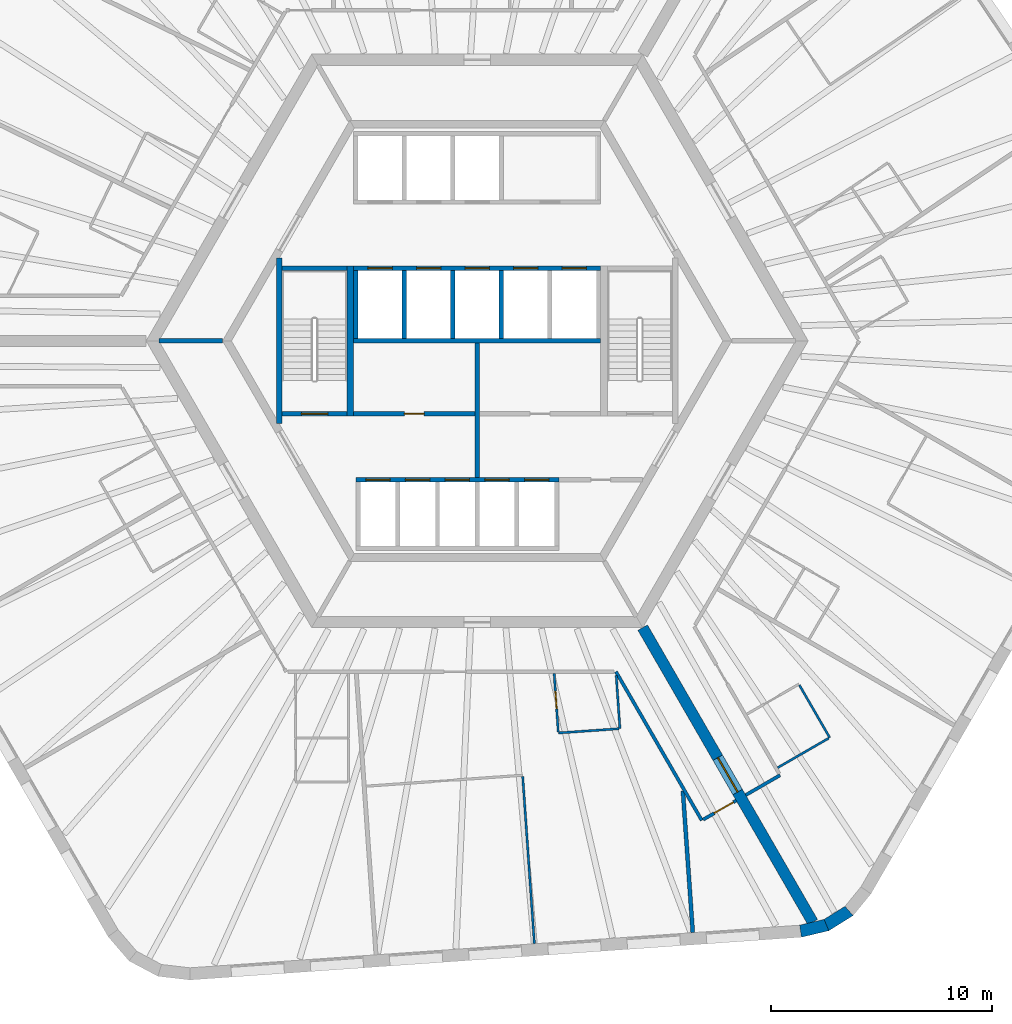
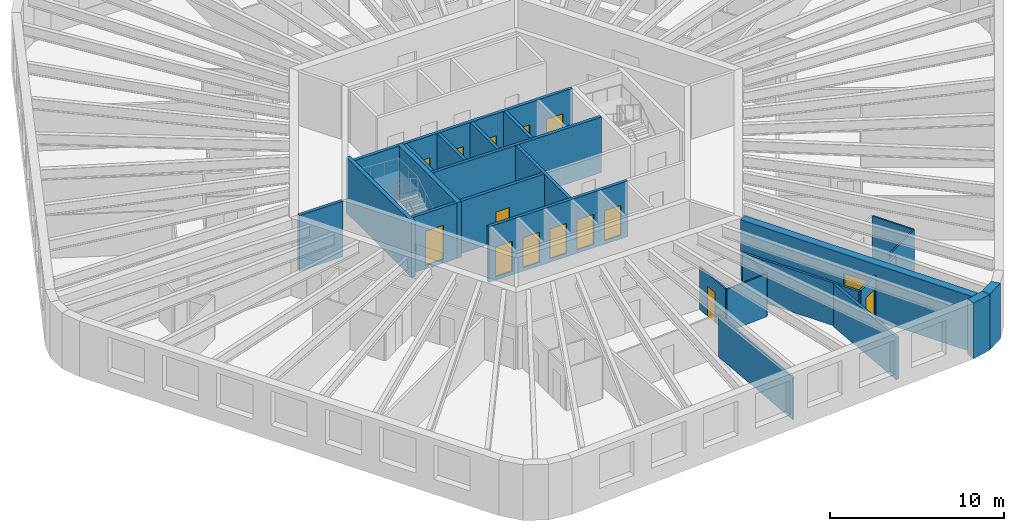
# One storey, part 4 of 10: 27 walls, 15 doors, 15 openings.
"""IFC4 building model written with IfcOpenShell, lengths in metres."""

import ifcopenshell
import ifcopenshell.guid

model = None  # the IFC model being written
_history = None  # IfcOwnerHistory: only IFC2X3 demands one
_inside = {}  # id of a spatial element -> (the spatial element, [elements in it])
_under = {}  # id of a project, library or spatial element -> (it, [spatial elements below it])
_declared = {}  # id of a project -> (the project, [libraries it declares])
_typed = {}  # id of a type object -> (the type object, [elements of that type])
_made_of = {}  # id of a material, layer set ... -> (it, [elements and type objects made of it])


def new_model(schema):
    """Start an empty IFC model of exactly this schema.

    Asked for "IFC4X3", IfcOpenShell would pick the latest addendum, in which some entities
    have other attributes; the version numbers below select the first issue.
    IFC2X3 requires an IfcOwnerHistory on every rooted entity: one is made here for all.
    """
    global model, _history
    if schema == "IFC4X3":
        model = ifcopenshell.file(schema_version=(4, 3, 0, 0))
    else:
        model = ifcopenshell.file(schema=schema)
    _inside.clear()
    _under.clear()
    _declared.clear()
    _typed.clear()
    _made_of.clear()
    _history = None
    if model.schema == "IFC2X3":
        org = make("IfcOrganization", Name="unknown")
        user = make(
            "IfcPersonAndOrganization",
            ThePerson=make("IfcPerson", FamilyName="unknown"),
            TheOrganization=org,
        )
        app = make(
            "IfcApplication",
            ApplicationDeveloper=org,
            Version="unknown",
            ApplicationFullName="unknown",
            ApplicationIdentifier="unknown",
        )
        _history = make(
            "IfcOwnerHistory",
            OwningUser=user,
            OwningApplication=app,
            ChangeAction="ADDED",
            CreationDate=0,
        )
    return model


def make(cls, **values):
    """One entity of the class cls with the attributes given. An attribute that is None is left unset."""
    return model.create_entity(
        cls, **{name: value for name, value in values.items() if value is not None}
    )


def rooted(cls, **values):
    """An entity with a GlobalId (a new one), such as an element, a storey or a relation."""
    return make(cls, GlobalId=ifcopenshell.guid.new(), OwnerHistory=_history, **values)


def si_unit(unit_type, name, prefix=None):
    """IfcSIUnit, for example si_unit("LENGTHUNIT", "METRE", prefix="MILLI")."""
    return make("IfcSIUnit", UnitType=unit_type, Prefix=prefix, Name=name)


def assignment(units):
    """IfcUnitAssignment: the units of a project."""
    return None if units is None else make("IfcUnitAssignment", Units=units)


def point(xyz):
    """IfcCartesianPoint."""
    return None if xyz is None else make("IfcCartesianPoint", Coordinates=xyz)


def direction(xyz):
    """IfcDirection."""
    return None if xyz is None else make("IfcDirection", DirectionRatios=xyz)


def frame(location, z_axis=None, x_axis=None):
    """IfcAxis2Placement3D, a coordinate frame: its origin and axes. An axis left out is left unset."""
    return make(
        "IfcAxis2Placement3D",
        Location=point(location),
        Axis=direction(z_axis),
        RefDirection=direction(x_axis),
    )


def frame_2d(location, x_axis=None):
    """IfcAxis2Placement2D, a coordinate frame in the plane: its origin and x axis."""
    return make(
        "IfcAxis2Placement2D", Location=point(location), RefDirection=direction(x_axis)
    )


def origin():
    """The frame at (0, 0, 0) with its axes left unset."""
    return frame((0.0, 0.0, 0.0))


def place(relative_to, where):
    """IfcLocalPlacement: puts the frame where relative to a parent placement (None: the world)."""
    return make(
        "IfcLocalPlacement", PlacementRelTo=relative_to, RelativePlacement=where
    )


def context(
    kind, dimensions, precision=None, world=None, true_north=None, identifier=None
):
    """IfcGeometricRepresentationContext, for example the 3D "Model" context."""
    return make(
        "IfcGeometricRepresentationContext",
        ContextIdentifier=identifier,
        ContextType=kind,
        CoordinateSpaceDimension=dimensions,
        Precision=precision,
        WorldCoordinateSystem=world,
        TrueNorth=true_north,
    )


def subcontext(parent, identifier, kind, view, scale=None):
    """IfcGeometricRepresentationSubContext, for example "Body" below "Model"."""
    return make(
        "IfcGeometricRepresentationSubContext",
        ContextIdentifier=identifier,
        ContextType=kind,
        ParentContext=parent,
        TargetScale=scale,
        TargetView=view,
    )


def project(units=None, contexts=None):
    """IfcProject with its units and contexts."""
    return rooted(
        "IfcProject",
        Name="project",
        RepresentationContexts=contexts,
        UnitsInContext=assignment(units),
    )


def spatial(cls, under=None, at=None, **own):
    """A site, building, storey or space (cls), placed at a placement, below another one or the project."""
    s = rooted(cls, ObjectPlacement=at, **own)
    if under is not None:
        _under.setdefault(under.id(), (under, []))[1].append(s)
    return s


def polyline(points):
    """IfcPolyline through the points."""
    return make("IfcPolyline", Points=[point(p) for p in points])


def profile(cls, at=None, kind="AREA", **sizes):
    """A parametric profile (cls). Its sizes go by their IFC names, for example OverallWidth=200.0."""
    return make(cls, ProfileType=kind, Position=at, **sizes)


def rectangle(**sizes):
    """IfcRectangleProfileDef."""
    return profile("IfcRectangleProfileDef", **sizes)


def outline(outer, holes=None, kind="AREA"):
    """IfcArbitraryClosedProfileDef: a profile drawn as a closed curve; with holes, ...WithVoids."""
    if holes is None:
        return make("IfcArbitraryClosedProfileDef", ProfileType=kind, OuterCurve=outer)
    return make(
        "IfcArbitraryProfileDefWithVoids",
        ProfileType=kind,
        OuterCurve=outer,
        InnerCurves=holes,
    )


def extrude(swept, where, along, depth):
    """IfcExtrudedAreaSolid: the profile swept, set in the frame where, extruded along a direction by depth."""
    return make(
        "IfcExtrudedAreaSolid",
        SweptArea=swept,
        Position=where,
        ExtrudedDirection=direction(along),
        Depth=depth,
    )


def shape(context_of_items, identifier, shape_type, items):
    """IfcShapeRepresentation: the items that make up one representation, for example the "Body"."""
    return make(
        "IfcShapeRepresentation",
        ContextOfItems=context_of_items,
        RepresentationIdentifier=identifier,
        RepresentationType=shape_type,
        Items=items,
    )


def material(Name=None, Category=None):
    """IfcMaterial."""
    return make("IfcMaterial", Name=Name, Category=Category)


def layer(
    of_material, thickness, ventilated=None, Name=None, Category=None, Priority=None
):
    """IfcMaterialLayer: one layer of a wall or slab, of a material (None: an air gap)."""
    return make(
        "IfcMaterialLayer",
        Material=of_material,
        LayerThickness=thickness,
        IsVentilated=ventilated,
        Name=Name,
        Category=Category,
        Priority=Priority,
    )


def layer_set(layers, Name=None):
    """IfcMaterialLayerSet."""
    return make("IfcMaterialLayerSet", MaterialLayers=layers, LayerSetName=Name)


def made_of(thing, what):
    """Note that an element or type object is made of a material, layer set ...; save() writes the relation."""
    if what is not None:
        _made_of.setdefault(what.id(), (what, []))[1].append(thing)
    return thing


def type_object(cls, material=None, **own):
    """A type object (cls), such as IfcWallType, which elements share."""
    return made_of(rooted(cls, **own), material)


def element(
    cls,
    number,
    at=None,
    inside=None,
    cuts=None,
    type_object=None,
    material=None,
    context=None,
    identifier="Body",
    shape_type=None,
    held_by="IfcProductDefinitionShape",
    body=None,
    shapes=None,
    **own,
):
    """One element of the class cls, such as IfcWall. Its Tag is "e" and its number.

    at: its placement. inside: the storey or other place that contains it. cuts: it is an
    opening in that element (IfcRelVoidsElement). A single representation is given by context,
    identifier, shape_type and body (its items); several are given by shapes. held_by: the class
    of the entity that holds the representations. save() writes the other relations.
    """
    e = rooted(cls, Tag="e%d" % number, ObjectPlacement=at, **own)
    if body is not None:
        shapes = [shape(context, identifier, shape_type, body)]
    if shapes is not None:
        e.Representation = make(held_by, Representations=shapes)
    if inside is not None:
        _inside.setdefault(inside.id(), (inside, []))[1].append(e)
    if cuts is not None:
        rooted(
            "IfcRelVoidsElement", RelatingBuildingElement=cuts, RelatedOpeningElement=e
        )
    if type_object is not None:
        _typed.setdefault(type_object.id(), (type_object, []))[1].append(e)
    return made_of(e, material)


def fill(opening, filler):
    """IfcRelFillsElement: the door or window that sits in an opening."""
    return rooted(
        "IfcRelFillsElement",
        RelatingOpeningElement=opening,
        RelatedBuildingElement=filler,
    )


def aggregate(whole, parts):
    """IfcRelAggregates: a whole, such as a stair, and the parts it consists of."""
    return rooted("IfcRelAggregates", RelatingObject=whole, RelatedObjects=parts)


def save(model, path):
    """Write the relations noted so far, then the file.

    IfcRelAggregates (storeys below a building ...), IfcRelContainedInSpatialStructure (elements
    in a storey), IfcRelDefinesByType, IfcRelAssociatesMaterial and IfcRelDeclares: one each for
    every whole, place, type object, material and project.
    """
    for whole, parts in _under.values():
        aggregate(whole, parts)
    for where, things in _inside.values():
        rooted(
            "IfcRelContainedInSpatialStructure",
            RelatedElements=things,
            RelatingStructure=where,
        )
    for kind, things in _typed.values():
        rooted("IfcRelDefinesByType", RelatedObjects=things, RelatingType=kind)
    for what, things in _made_of.values():
        rooted("IfcRelAssociatesMaterial", RelatedObjects=things, RelatingMaterial=what)
    for by, libraries in _declared.values():
        rooted("IfcRelDeclares", RelatingContext=by, RelatedDefinitions=libraries)
    model.write(path)


model = new_model("IFC4")

# Units and contexts
model_context = context("Model", 3, precision=1e-05, world=origin(), true_north=direction((0.0, 1.0)))
body_context = subcontext(model_context, "Body", "Model", "MODEL_VIEW")
ifc_project = project(units=[si_unit("LENGTHUNIT", "METRE"), si_unit("AREAUNIT", "SQUARE_METRE"), si_unit("VOLUMEUNIT", "CUBIC_METRE"), si_unit("PLANEANGLEUNIT", "RADIAN"), si_unit("MASSUNIT", "GRAM", prefix="KILO")], contexts=[model_context])

# Site, building, storey
site_placement = place(None, origin())
site = spatial("IfcSite", under=ifc_project, at=site_placement, CompositionType="ELEMENT")
building_placement = place(site_placement, origin())
building = spatial("IfcBuilding", under=site, at=building_placement, Name="Tarnside Tower", CompositionType="ELEMENT")
storey_placement = place(building_placement, frame((0.0, 0.0, 191.699951171875)))
storey = spatial("IfcBuildingStorey", under=building, at=storey_placement, Name="L45", CompositionType="ELEMENT", Elevation=191.699951171875)

# Walls
ifc_material_1 = material(Name="Gypsum board partition on steel studs", Category="steel")
ifc_layer_1 = layer(ifc_material_1, 0.10009765625)
ifc_layer_set_1 = layer_set([ifc_layer_1], Name="Bathroom wall 100")
wall_type_1 = type_object("IfcWallType", Name="Bathroom wall 100", PredefinedType="PARTITIONING", material=ifc_layer_set_1)
wall_1_placement = place(storey_placement, frame((6.30517578125, -15.170654296875, 0.0), z_axis=(0.0, 0.0, 1.0), x_axis=(0.069661348173, -0.99757069753, 0.0)))
element("IfcWall", 1, at=wall_1_placement, inside=storey, type_object=wall_type_1, Name="Bathroom wall 14094", PredefinedType="PARTITIONING", context=body_context, shape_type="SweptSolid", body=[
    extrude(rectangle(XDim=2.418212890625, YDim=0.10009765625, at=frame_2d((1.208984375, 0.0))), origin(), (0.0, 0.0, 1.0), 2.98779296875),
])
wall_2_placement = place(storey_placement, frame((6.423828125, -17.58642578125, 0.0), z_axis=(0.0, 0.0, 1.0), x_axis=(-0.997562182015, -0.069783185748, 0.0)))
element("IfcWall", 2, at=wall_2_placement, inside=storey, type_object=wall_type_1, Name="Bathroom wall 14095", PredefinedType="PARTITIONING", context=body_context, shape_type="SweptSolid", body=[
    extrude(rectangle(XDim=2.749755859375, YDim=0.10009765625, at=frame_2d((1.375, 0.0))), origin(), (0.0, 0.0, 1.0), 2.98779296875),
])

# Wall, opening, door
wall_3_placement = place(storey_placement, frame((3.677001953125, -17.728271484375, 0.0), z_axis=(0.0, 0.0, 1.0), x_axis=(-0.069759707979, 0.997563824095, 0.0)))
wall_3 = element("IfcWall", 3, at=wall_3_placement, inside=storey, type_object=wall_type_1, Name="Bathroom wall 14096", PredefinedType="PARTITIONING", context=body_context, shape_type="SweptSolid", body=[
    extrude(rectangle(XDim=2.659912109375, YDim=0.10009765625, at=frame_2d((1.330078125, 0.0))), origin(), (0.0, 0.0, 1.0), 2.98779296875),
])
opening_1_placement = place(wall_3_placement, frame((1.050048828125, 0.0, 0.0)))
opening_1 = element("IfcOpeningElement", 4, at=opening_1_placement, cuts=wall_3, Name="Opening D-B1", PredefinedType="OPENING", context=body_context, shape_type="SweptSolid", body=[
    extrude(rectangle(XDim=0.800048828125, YDim=2.10009765625, at=frame_2d((0.39990234375, 1.050048828125))), frame((0.0, 0.06005859375, 0.0), z_axis=(0.0, -1.0, 0.0), x_axis=(1.0, 0.0, 0.0)), (0.0, 0.0, 1.0), 0.1201171875),
])
ifc_material_2 = material(Name="Timber door leaf", Category="wood")
door_type_1 = type_object("IfcDoorType", Name="Bathroom door 800", OperationType="NOTDEFINED", PredefinedType="DOOR", material=ifc_material_2)
door_1_placement = place(opening_1_placement, origin())
door_1 = element("IfcDoor", 5, at=door_1_placement, inside=storey, type_object=door_type_1, Name="Bathroom door 14022", OperationType="SINGLE_SWING_LEFT", OverallHeight=2.10009765625, OverallWidth=0.800048828125, PredefinedType="DOOR", context=body_context, shape_type="SweptSolid", body=[
    extrude(rectangle(XDim=0.800048828125, YDim=2.10009765625, at=frame_2d((0.39990234375, 1.050048828125))), frame((0.0, 0.02490234375, 0.0), z_axis=(0.0, -1.0, 0.0), x_axis=(1.0, 0.0, 0.0)), (0.0, 0.0, 1.0), 0.050048828125),
])
fill(opening_1, door_1)

# Walls
wall_4_placement = place(storey_placement, frame((14.611572265625, -15.608154296875, 0.0), z_axis=(0.0, 0.0, 1.0), x_axis=(0.499996545922, -0.866027397988, 0.0)))
element("IfcWall", 6, at=wall_4_placement, inside=storey, type_object=wall_type_1, Name="Bathroom wall 14101", PredefinedType="PARTITIONING", context=body_context, shape_type="SweptSolid", body=[
    extrude(rectangle(XDim=2.75, YDim=0.10009765625, at=frame_2d((1.375, 0.0))), origin(), (0.0, 0.0, 1.0), 2.98779296875),
])
wall_5_placement = place(storey_placement, frame((15.943359375, -18.0146484375, 0.0), z_axis=(0.0, 0.0, 1.0), x_axis=(-0.866004723184, -0.50003581814, 0.0)))
element("IfcWall", 7, at=wall_5_placement, inside=storey, type_object=wall_type_1, Name="Bathroom wall 14102", PredefinedType="PARTITIONING", context=body_context, shape_type="SweptSolid", body=[
    extrude(rectangle(XDim=2.675048828125, YDim=0.10009765625, at=frame_2d((1.33740234375, 0.0))), origin(), (0.0, 0.0, 1.0), 2.98779296875),
])

# Wall, opening, door
ifc_material_3 = material(Name="Concrete C40/50", Category="concrete")
ifc_layer_2 = layer(ifc_material_3, 0.199951171875)
ifc_layer_set_2 = layer_set([ifc_layer_2], Name="Core room partition 200 C40/50")
wall_type_2 = type_object("IfcWallType", Name="Core room partition 200 C40/50", PredefinedType="PARTITIONING", material=ifc_layer_set_2)
wall_6_placement = place(storey_placement, frame((-5.60009765625, -3.300048828125, 0.0), z_axis=(0.0, 0.0, 1.0), x_axis=(1.0, 0.0, 0.0)))
wall_6 = element("IfcWall", 8, at=wall_6_placement, inside=storey, type_object=wall_type_2, Name="L45 core partition W3", PredefinedType="PARTITIONING", context=body_context, shape_type="SweptSolid", body=[
    extrude(rectangle(XDim=5.5, YDim=0.199951171875, at=frame_2d((2.75, 0.0))), origin(), (0.0, 0.0, 1.0), 3.650146484375),
])
opening_2_placement = place(wall_6_placement, frame((2.300048828125, 0.0, 0.0)))
opening_2 = element("IfcOpeningElement", 9, at=opening_2_placement, cuts=wall_6, Name="Opening CD-room", PredefinedType="OPENING", context=body_context, shape_type="SweptSolid", body=[
    extrude(rectangle(XDim=0.89990234375, YDim=2.10009765625, at=frame_2d((0.449951171875, 1.050048828125))), frame((0.0, 0.10986328125, 0.0), z_axis=(0.0, -1.0, 0.0), x_axis=(1.0, 0.0, 0.0)), (0.0, 0.0, 1.0), 0.219970703125),
])
ifc_material_4 = material(Name="Steel fire door", Category="steel")
door_type_2 = type_object("IfcDoorType", Name="Room door FD60 900x2100", OperationType="NOTDEFINED", PredefinedType="DOOR", material=ifc_material_4)
door_2_placement = place(opening_2_placement, origin())
door_2 = element("IfcDoor", 10, at=door_2_placement, inside=storey, type_object=door_type_2, Name="L45 core room door W3D", OperationType="SINGLE_SWING_LEFT", OverallHeight=2.10009765625, OverallWidth=0.89990234375, PredefinedType="DOOR", context=body_context, shape_type="SweptSolid", body=[
    extrude(rectangle(XDim=0.89990234375, YDim=2.10009765625, at=frame_2d((0.449951171875, 1.050048828125))), frame((0.0, 0.02490234375, 0.0), z_axis=(0.0, -1.0, 0.0), x_axis=(1.0, 0.0, 0.0)), (0.0, 0.0, 1.0), 0.050048828125),
])
fill(opening_2, door_2)

# Wall
wall_7_placement = place(storey_placement, frame((0.0, -6.199951171875, 0.0), z_axis=(0.0, 0.0, 1.0), x_axis=(0.0, 1.0, 0.0)))
element("IfcWall", 11, at=wall_7_placement, inside=storey, type_object=wall_type_2, Name="L45 core partition X0", PredefinedType="PARTITIONING", context=body_context, shape_type="SweptSolid", body=[
    extrude(rectangle(XDim=6.099853515625, YDim=0.199951171875, at=frame_2d((3.0498046875, 0.0))), origin(), (0.0, 0.0, 1.0), 3.650146484375),
])

# Wall, opening, door
ifc_material_5 = material(Name="Concrete C70/85", Category="concrete")
ifc_layer_3 = layer(ifc_material_5, 0.5)
ifc_layer_set_3 = layer_set([ifc_layer_3], Name="Core wall Z2 500 C70/85")
wall_type_3 = type_object("IfcWallType", Name="Core wall Z2 500 C70/85", PredefinedType="SHEAR", material=ifc_layer_set_3)
wall_8_placement = place(storey_placement, frame((7.505615234375, -13.0, -0.14990234375), z_axis=(0.0, 0.0, 1.0), x_axis=(0.499988271576, -0.866032175087, 0.0)))
wall_8 = element("IfcWall", 12, at=wall_8_placement, inside=storey, type_object=wall_type_3, Name="L45 spine wall 3", PredefinedType="SHEAR", context=body_context, shape_type="SweptSolid", body=[
    extrude(rectangle(XDim=15.423583984375, YDim=0.5, at=frame_2d((7.7119140625, 0.0))), origin(), (0.0, 0.0, 1.0), 3.89990234375),
])
opening_3_placement = place(wall_8_placement, frame((6.811767578125, 0.0, 0.14990234375)))
opening_3 = element("IfcOpeningElement", 13, at=opening_3_placement, cuts=wall_8, Name="Opening CD-SPN", PredefinedType="OPENING", context=body_context, shape_type="SweptSolid", body=[
    extrude(rectangle(XDim=1.800048828125, YDim=2.39990234375, at=frame_2d((0.89990234375, 1.199951171875))), frame((0.0, 0.260009765625, 0.0), z_axis=(0.0, -1.0, 0.0), x_axis=(1.0, 0.0, 0.0)), (0.0, 0.0, 1.0), 0.52001953125),
])
door_type_3 = type_object("IfcDoorType", Name="Spine passage double door FD60 1800x2400", OperationType="NOTDEFINED", PredefinedType="DOOR", material=ifc_material_4)
door_3_placement = place(opening_3_placement, origin())
door_3 = element("IfcDoor", 14, at=door_3_placement, inside=storey, type_object=door_type_3, Name="L45 spine passage door 3", OperationType="DOUBLE_DOOR_SINGLE_SWING", OverallHeight=2.39990234375, OverallWidth=1.800048828125, PredefinedType="DOOR", context=body_context, shape_type="SweptSolid", body=[
    extrude(rectangle(XDim=1.800048828125, YDim=2.39990234375, at=frame_2d((0.89990234375, 1.199951171875))), frame((0.0, 0.02490234375, 0.0), z_axis=(0.0, -1.0, 0.0), x_axis=(1.0, 0.0, 0.0)), (0.0, 0.0, 1.0), 0.050048828125),
])
fill(opening_3, door_3)

# Wall
ifc_layer_4 = layer(ifc_material_1, 0.14990234375)
ifc_layer_set_4 = layer_set([ifc_layer_4], Name="Corridor wall 150 EI 60")
wall_type_4 = type_object("IfcWallType", Name="Corridor wall 150 EI 60", PredefinedType="PARTITIONING", material=ifc_layer_set_4)
wall_9_placement = place(storey_placement, frame((6.293212890625, -15.0, 0.0), z_axis=(0.0, 0.0, 1.0), x_axis=(0.499980313799, -0.86603676932, 0.0)))
element("IfcWall", 15, at=wall_9_placement, inside=storey, type_object=wall_type_4, Name="Corridor wall 14031", PredefinedType="PARTITIONING", context=body_context, shape_type="SweptSolid", body=[
    extrude(rectangle(XDim=7.785888671875, YDim=0.14990234375, at=frame_2d((3.89306640625, 0.0))), origin(), (0.0, 0.0, 1.0), 2.98779296875),
])

# Wall, opening, door
wall_10_placement = place(storey_placement, frame((10.2509765625, -21.705322265625, 0.0), z_axis=(0.0, 0.0, 1.0), x_axis=(0.866013532718, 0.500020560727, 0.0)))
wall_10 = element("IfcWall", 16, at=wall_10_placement, inside=storey, type_object=wall_type_4, Name="Corridor wall 14034", PredefinedType="PARTITIONING", context=body_context, shape_type="SweptSolid", body=[
    extrude(rectangle(XDim=1.72509765625, YDim=0.14990234375, at=frame_2d((0.862548828125, 0.0))), origin(), (0.0, 0.0, 1.0), 2.98779296875),
])
opening_4_placement = place(wall_10_placement, frame((0.574951171875, 0.0, 0.0)))
opening_4 = element("IfcOpeningElement", 17, at=opening_4_placement, cuts=wall_10, Name="Opening D-E1", PredefinedType="OPENING", context=body_context, shape_type="SweptSolid", body=[
    extrude(rectangle(XDim=1.0, YDim=2.10009765625, at=frame_2d((0.5, 1.050048828125))), frame((0.0, 0.0849609375, 0.0), z_axis=(0.0, -1.0, 0.0), x_axis=(1.0, 0.0, 0.0)), (0.0, 0.0, 1.0), 0.169921875),
])
door_type_4 = type_object("IfcDoorType", Name="Unit entrance door 1000 FD30S", OperationType="NOTDEFINED", PredefinedType="DOOR", material=ifc_material_2)
door_4_placement = place(opening_4_placement, origin())
door_4 = element("IfcDoor", 18, at=door_4_placement, inside=storey, type_object=door_type_4, Name="Unit door 14024", OperationType="SINGLE_SWING_LEFT", OverallHeight=2.10009765625, OverallWidth=1.0, PredefinedType="DOOR", context=body_context, shape_type="SweptSolid", body=[
    extrude(rectangle(XDim=1.0, YDim=2.10009765625, at=frame_2d((0.5, 1.050048828125))), frame((0.0, 0.02490234375, 0.0), z_axis=(0.0, -1.0, 0.0), x_axis=(1.0, 0.0, 0.0)), (0.0, 0.0, 1.0), 0.050048828125),
])
fill(opening_4, door_4)

# Walls
wall_11_placement = place(storey_placement, frame((12.177978515625, -20.5927734375, 0.0), z_axis=(0.0, 0.0, 1.0), x_axis=(0.866047807691, 0.499961193289, 0.0)))
element("IfcWall", 19, at=wall_11_placement, inside=storey, type_object=wall_type_4, Name="Corridor wall 14037", PredefinedType="PARTITIONING", context=body_context, shape_type="SweptSolid", body=[
    extrude(rectangle(XDim=1.800048828125, YDim=0.14990234375, at=frame_2d((0.89990234375, 0.0))), origin(), (0.0, 0.0, 1.0), 2.98779296875),
])
ifc_layer_5 = layer(ifc_material_1, 0.179931640625)
ifc_layer_set_5 = layer_set([ifc_layer_5], Name="Demising wall 180 EI 60")
wall_type_5 = type_object("IfcWallType", Name="Demising wall 180 EI 60", PredefinedType="PARTITIONING", material=ifc_layer_set_5)
wall_12_placement = place(storey_placement, frame((9.777587890625, -26.833251953125, 0.0), z_axis=(0.0, 0.0, 1.0), x_axis=(-0.069733334443, 0.997565668048, 0.0)))
element("IfcWall", 20, at=wall_12_placement, inside=storey, type_object=wall_type_5, Name="Demising wall 14099", PredefinedType="PARTITIONING", context=body_context, shape_type="SweptSolid", body=[
    extrude(rectangle(XDim=6.44189453125, YDim=0.179931640625, at=frame_2d((3.220947265625, 0.0))), origin(), (0.0, 0.0, 1.0), 2.98779296875),
])

# Wall, openings, doors
ifc_layer_6 = layer(ifc_material_3, 0.199951171875)
ifc_layer_set_6 = layer_set([ifc_layer_6], Name="Lift shaft wall 200 C40/50")
wall_type_6 = type_object("IfcWallType", Name="Lift shaft wall 200 C40/50", PredefinedType="SHEAR", material=ifc_layer_set_6)
wall_13_placement = place(storey_placement, frame((-5.60009765625, 3.300048828125, -0.25), z_axis=(0.0, 0.0, 1.0), x_axis=(1.0, 0.0, 0.0)))
wall_13 = element("IfcWall", 21, at=wall_13_placement, inside=storey, type_object=wall_type_6, Name="L45 lift shaft front wall R2", PredefinedType="SHEAR", context=body_context, shape_type="SweptSolid", body=[
    extrude(rectangle(XDim=11.2001953125, YDim=0.199951171875, at=frame_2d((5.60009765625, 0.0))), origin(), (0.0, 0.0, 1.0), 3.900146484375),
])
opening_5_placement = place(wall_13_placement, frame((0.64990234375, 0.0, 0.25)))
opening_5 = element("IfcOpeningElement", 22, at=opening_5_placement, cuts=wall_13, Name="Opening LD", PredefinedType="OPENING", context=body_context, shape_type="SweptSolid", body=[
    extrude(rectangle(XDim=1.10009765625, YDim=2.10009765625, at=frame_2d((0.550048828125, 1.050048828125))), frame((0.0, 0.10986328125, 0.0), z_axis=(0.0, -1.0, 0.0), x_axis=(1.0, 0.0, 0.0)), (0.0, 0.0, 1.0), 0.219970703125),
])
opening_6_placement = place(wall_13_placement, frame((2.85009765625, 0.0, 0.25)))
opening_6 = element("IfcOpeningElement", 23, at=opening_6_placement, cuts=wall_13, Name="Opening LD", PredefinedType="OPENING", context=body_context, shape_type="SweptSolid", body=[
    extrude(rectangle(XDim=1.10009765625, YDim=2.10009765625, at=frame_2d((0.550048828125, 1.050048828125))), frame((0.0, 0.10986328125, 0.0), z_axis=(0.0, -1.0, 0.0), x_axis=(1.0, 0.0, 0.0)), (0.0, 0.0, 1.0), 0.219970703125),
])
opening_7_placement = place(wall_13_placement, frame((5.050048828125, 0.0, 0.25)))
opening_7 = element("IfcOpeningElement", 24, at=opening_7_placement, cuts=wall_13, Name="Opening LD", PredefinedType="OPENING", context=body_context, shape_type="SweptSolid", body=[
    extrude(rectangle(XDim=1.10009765625, YDim=2.10009765625, at=frame_2d((0.550048828125, 1.050048828125))), frame((0.0, 0.10986328125, 0.0), z_axis=(0.0, -1.0, 0.0), x_axis=(1.0, 0.0, 0.0)), (0.0, 0.0, 1.0), 0.219970703125),
])
opening_8_placement = place(wall_13_placement, frame((7.25, 0.0, 0.25)))
opening_8 = element("IfcOpeningElement", 25, at=opening_8_placement, cuts=wall_13, Name="Opening LD", PredefinedType="OPENING", context=body_context, shape_type="SweptSolid", body=[
    extrude(rectangle(XDim=1.10009765625, YDim=2.10009765625, at=frame_2d((0.550048828125, 1.050048828125))), frame((0.0, 0.10986328125, 0.0), z_axis=(0.0, -1.0, 0.0), x_axis=(1.0, 0.0, 0.0)), (0.0, 0.0, 1.0), 0.219970703125),
])
opening_9_placement = place(wall_13_placement, frame((9.449951171875, 0.0, 0.25)))
opening_9 = element("IfcOpeningElement", 26, at=opening_9_placement, cuts=wall_13, Name="Opening LD", PredefinedType="OPENING", context=body_context, shape_type="SweptSolid", body=[
    extrude(rectangle(XDim=1.10009765625, YDim=2.10009765625, at=frame_2d((0.550048828125, 1.050048828125))), frame((0.0, 0.10986328125, 0.0), z_axis=(0.0, -1.0, 0.0), x_axis=(1.0, 0.0, 0.0)), (0.0, 0.0, 1.0), 0.219970703125),
])
ifc_material_6 = material(Name="Stainless steel", Category="steel")
door_type_5 = type_object("IfcDoorType", Name="Lift landing door 1100x2100", OperationType="NOTDEFINED", PredefinedType="DOOR", material=ifc_material_6)
door_5_placement = place(opening_5_placement, origin())
door_5 = element("IfcDoor", 27, at=door_5_placement, inside=storey, type_object=door_type_5, Name="Mid-rise lift 4 landing door L45", OperationType="SLIDING_TO_LEFT", OverallHeight=2.10009765625, OverallWidth=1.10009765625, PredefinedType="DOOR", context=body_context, shape_type="SweptSolid", body=[
    extrude(rectangle(XDim=1.10009765625, YDim=2.10009765625, at=frame_2d((0.550048828125, 1.050048828125))), frame((0.0, 0.02490234375, 0.0), z_axis=(0.0, -1.0, 0.0), x_axis=(1.0, 0.0, 0.0)), (0.0, 0.0, 1.0), 0.050048828125),
])
fill(opening_5, door_5)
door_6_placement = place(opening_6_placement, origin())
door_6 = element("IfcDoor", 28, at=door_6_placement, inside=storey, type_object=door_type_5, Name="Mid-rise lift 5 landing door L45", OperationType="SLIDING_TO_LEFT", OverallHeight=2.10009765625, OverallWidth=1.10009765625, PredefinedType="DOOR", context=body_context, shape_type="SweptSolid", body=[
    extrude(rectangle(XDim=1.10009765625, YDim=2.10009765625, at=frame_2d((0.550048828125, 1.050048828125))), frame((0.0, 0.02490234375, 0.0), z_axis=(0.0, -1.0, 0.0), x_axis=(1.0, 0.0, 0.0)), (0.0, 0.0, 1.0), 0.050048828125),
])
fill(opening_6, door_6)
door_7_placement = place(opening_7_placement, origin())
door_7 = element("IfcDoor", 29, at=door_7_placement, inside=storey, type_object=door_type_5, Name="Mid-rise lift 6 landing door L45", OperationType="SLIDING_TO_LEFT", OverallHeight=2.10009765625, OverallWidth=1.10009765625, PredefinedType="DOOR", context=body_context, shape_type="SweptSolid", body=[
    extrude(rectangle(XDim=1.10009765625, YDim=2.10009765625, at=frame_2d((0.550048828125, 1.050048828125))), frame((0.0, 0.02490234375, 0.0), z_axis=(0.0, -1.0, 0.0), x_axis=(1.0, 0.0, 0.0)), (0.0, 0.0, 1.0), 0.050048828125),
])
fill(opening_7, door_7)
door_8_placement = place(opening_8_placement, origin())
door_8 = element("IfcDoor", 30, at=door_8_placement, inside=storey, type_object=door_type_5, Name="High sky-lobby shuttle 1 landing door L45", OperationType="SLIDING_TO_LEFT", OverallHeight=2.10009765625, OverallWidth=1.10009765625, PredefinedType="DOOR", context=body_context, shape_type="SweptSolid", body=[
    extrude(rectangle(XDim=1.10009765625, YDim=2.10009765625, at=frame_2d((0.550048828125, 1.050048828125))), frame((0.0, 0.02490234375, 0.0), z_axis=(0.0, -1.0, 0.0), x_axis=(1.0, 0.0, 0.0)), (0.0, 0.0, 1.0), 0.050048828125),
])
fill(opening_8, door_8)
door_9_placement = place(opening_9_placement, origin())
door_9 = element("IfcDoor", 31, at=door_9_placement, inside=storey, type_object=door_type_5, Name="Express sky-lobby shuttle 2 landing door L45", OperationType="SLIDING_TO_LEFT", OverallHeight=2.10009765625, OverallWidth=1.10009765625, PredefinedType="DOOR", context=body_context, shape_type="SweptSolid", body=[
    extrude(rectangle(XDim=1.10009765625, YDim=2.10009765625, at=frame_2d((0.550048828125, 1.050048828125))), frame((0.0, 0.02490234375, 0.0), z_axis=(0.0, -1.0, 0.0), x_axis=(1.0, 0.0, 0.0)), (0.0, 0.0, 1.0), 0.050048828125),
])
fill(opening_9, door_9)

# Walls
wall_14_placement = place(storey_placement, frame((-5.60009765625, 0.0, -0.25), z_axis=(0.0, 0.0, 1.0), x_axis=(1.0, 0.0, 0.0)))
element("IfcWall", 32, at=wall_14_placement, inside=storey, type_object=wall_type_6, Name="L45 lift shaft back wall R2", PredefinedType="SHEAR", context=body_context, shape_type="SweptSolid", body=[
    extrude(rectangle(XDim=11.2001953125, YDim=0.199951171875, at=frame_2d((5.60009765625, 0.0))), origin(), (0.0, 0.0, 1.0), 3.900146484375),
])
for number, where, z_axis, x_axis, name in (
    (33, (-5.5, 0.10009765625, -0.25), (0.0, 0.0, 1.0), (0.0, 1.0, 0.0), "L45 lift shaft partition R21"),
    (34, (-3.300048828125, 0.10009765625, -0.25), (0.0, 0.0, 1.0), (0.0, 1.0, 0.0), "L45 lift shaft partition R22"),
    (35, (-1.10009765625, 0.10009765625, -0.25), (0.0, 0.0, 1.0), (0.0, 1.0, 0.0), "L45 lift shaft partition R23"),
    (36, (1.10009765625, 0.10009765625, -0.25), (0.0, 0.0, 1.0), (0.0, 1.0, 0.0), "L45 lift shaft partition R24"),
):
    element("IfcWall", number, at=place(storey_placement, frame(where, z_axis=z_axis, x_axis=x_axis)), inside=storey, type_object=wall_type_6, Name=name, PredefinedType="SHEAR", context=body_context, shape_type="SweptSolid", body=[
        extrude(rectangle(XDim=3.099853515625, YDim=0.199951171875, at=frame_2d((1.5498046875, 0.0))), origin(), (0.0, 0.0, 1.0), 3.900146484375),
    ])

# Wall, openings, doors
wall_15_placement = place(storey_placement, frame((-5.5, -6.300048828125, -0.25), z_axis=(0.0, 0.0, 1.0), x_axis=(1.0, 0.0, 0.0)))
wall_15 = element("IfcWall", 37, at=wall_15_placement, inside=storey, type_object=wall_type_6, Name="L45 lift shaft front wall R4", PredefinedType="SHEAR", context=body_context, shape_type="SweptSolid", body=[
    extrude(rectangle(XDim=9.199951171875, YDim=0.199951171875, at=frame_2d((4.60009765625, 0.0))), origin(), (0.0, 0.0, 1.0), 3.900146484375),
])
opening_10_placement = place(wall_15_placement, frame((0.449951171875, 0.0, 0.25)))
opening_10 = element("IfcOpeningElement", 38, at=opening_10_placement, cuts=wall_15, Name="Opening LDF", PredefinedType="OPENING", context=body_context, shape_type="SweptSolid", body=[
    extrude(rectangle(XDim=1.10009765625, YDim=2.10009765625, at=frame_2d((0.550048828125, 1.050048828125))), frame((0.0, 0.10986328125, 0.0), z_axis=(0.0, -1.0, 0.0), x_axis=(1.0, 0.0, 0.0)), (0.0, 0.0, 1.0), 0.219970703125),
])
opening_11_placement = place(wall_15_placement, frame((2.25, 0.0, 0.25)))
opening_11 = element("IfcOpeningElement", 39, at=opening_11_placement, cuts=wall_15, Name="Opening LDF", PredefinedType="OPENING", context=body_context, shape_type="SweptSolid", body=[
    extrude(rectangle(XDim=1.10009765625, YDim=2.10009765625, at=frame_2d((0.550048828125, 1.050048828125))), frame((0.0, 0.10986328125, 0.0), z_axis=(0.0, -1.0, 0.0), x_axis=(1.0, 0.0, 0.0)), (0.0, 0.0, 1.0), 0.219970703125),
])
opening_12_placement = place(wall_15_placement, frame((4.050048828125, 0.0, 0.25)))
opening_12 = element("IfcOpeningElement", 40, at=opening_12_placement, cuts=wall_15, Name="Opening LDF", PredefinedType="OPENING", context=body_context, shape_type="SweptSolid", body=[
    extrude(rectangle(XDim=1.10009765625, YDim=2.10009765625, at=frame_2d((0.550048828125, 1.050048828125))), frame((0.0, 0.10986328125, 0.0), z_axis=(0.0, -1.0, 0.0), x_axis=(1.0, 0.0, 0.0)), (0.0, 0.0, 1.0), 0.219970703125),
])
opening_13_placement = place(wall_15_placement, frame((5.85009765625, 0.0, 0.25)))
opening_13 = element("IfcOpeningElement", 41, at=opening_13_placement, cuts=wall_15, Name="Opening LDF", PredefinedType="OPENING", context=body_context, shape_type="SweptSolid", body=[
    extrude(rectangle(XDim=1.10009765625, YDim=2.10009765625, at=frame_2d((0.550048828125, 1.050048828125))), frame((0.0, 0.10986328125, 0.0), z_axis=(0.0, -1.0, 0.0), x_axis=(1.0, 0.0, 0.0)), (0.0, 0.0, 1.0), 0.219970703125),
])
opening_14_placement = place(wall_15_placement, frame((7.64990234375, 0.0, 0.25)))
opening_14 = element("IfcOpeningElement", 42, at=opening_14_placement, cuts=wall_15, Name="Opening LDF", PredefinedType="OPENING", context=body_context, shape_type="SweptSolid", body=[
    extrude(rectangle(XDim=1.10009765625, YDim=2.10009765625, at=frame_2d((0.550048828125, 1.050048828125))), frame((0.0, 0.10986328125, 0.0), z_axis=(0.0, -1.0, 0.0), x_axis=(1.0, 0.0, 0.0)), (0.0, 0.0, 1.0), 0.219970703125),
])
door_type_6 = type_object("IfcDoorType", Name="Lift landing door 1100x2100 EI 120", OperationType="NOTDEFINED", PredefinedType="DOOR", material=ifc_material_6)
door_10_placement = place(opening_10_placement, origin())
door_10 = element("IfcDoor", 43, at=door_10_placement, inside=storey, type_object=door_type_6, Name="Firefighting lift 1 landing door L45", OperationType="SLIDING_TO_LEFT", OverallHeight=2.10009765625, OverallWidth=1.10009765625, PredefinedType="DOOR", context=body_context, shape_type="SweptSolid", body=[
    extrude(rectangle(XDim=1.10009765625, YDim=2.10009765625, at=frame_2d((0.550048828125, 1.050048828125))), frame((0.0, 0.02490234375, 0.0), z_axis=(0.0, -1.0, 0.0), x_axis=(1.0, 0.0, 0.0)), (0.0, 0.0, 1.0), 0.050048828125),
])
fill(opening_10, door_10)
door_11_placement = place(opening_11_placement, origin())
door_11 = element("IfcDoor", 44, at=door_11_placement, inside=storey, type_object=door_type_6, Name="Firefighting lift 2 landing door L45", OperationType="SLIDING_TO_LEFT", OverallHeight=2.10009765625, OverallWidth=1.10009765625, PredefinedType="DOOR", context=body_context, shape_type="SweptSolid", body=[
    extrude(rectangle(XDim=1.10009765625, YDim=2.10009765625, at=frame_2d((0.550048828125, 1.050048828125))), frame((0.0, 0.02490234375, 0.0), z_axis=(0.0, -1.0, 0.0), x_axis=(1.0, 0.0, 0.0)), (0.0, 0.0, 1.0), 0.050048828125),
])
fill(opening_11, door_11)
door_12_placement = place(opening_12_placement, origin())
door_12 = element("IfcDoor", 45, at=door_12_placement, inside=storey, type_object=door_type_6, Name="Firefighting lift 3 landing door L45", OperationType="SLIDING_TO_LEFT", OverallHeight=2.10009765625, OverallWidth=1.10009765625, PredefinedType="DOOR", context=body_context, shape_type="SweptSolid", body=[
    extrude(rectangle(XDim=1.10009765625, YDim=2.10009765625, at=frame_2d((0.550048828125, 1.050048828125))), frame((0.0, 0.02490234375, 0.0), z_axis=(0.0, -1.0, 0.0), x_axis=(1.0, 0.0, 0.0)), (0.0, 0.0, 1.0), 0.050048828125),
])
fill(opening_12, door_12)
door_13_placement = place(opening_13_placement, origin())
door_13 = element("IfcDoor", 46, at=door_13_placement, inside=storey, type_object=door_type_6, Name="Firefighting lift 4 landing door L45", OperationType="SLIDING_TO_LEFT", OverallHeight=2.10009765625, OverallWidth=1.10009765625, PredefinedType="DOOR", context=body_context, shape_type="SweptSolid", body=[
    extrude(rectangle(XDim=1.10009765625, YDim=2.10009765625, at=frame_2d((0.550048828125, 1.050048828125))), frame((0.0, 0.02490234375, 0.0), z_axis=(0.0, -1.0, 0.0), x_axis=(1.0, 0.0, 0.0)), (0.0, 0.0, 1.0), 0.050048828125),
])
fill(opening_13, door_13)
door_14_placement = place(opening_14_placement, origin())
door_14 = element("IfcDoor", 47, at=door_14_placement, inside=storey, type_object=door_type_6, Name="Firefighting lift 5 landing door L45", OperationType="SLIDING_TO_LEFT", OverallHeight=2.10009765625, OverallWidth=1.10009765625, PredefinedType="DOOR", context=body_context, shape_type="SweptSolid", body=[
    extrude(rectangle(XDim=1.10009765625, YDim=2.10009765625, at=frame_2d((0.550048828125, 1.050048828125))), frame((0.0, 0.02490234375, 0.0), z_axis=(0.0, -1.0, 0.0), x_axis=(1.0, 0.0, 0.0)), (0.0, 0.0, 1.0), 0.050048828125),
])
fill(opening_14, door_14)

# Walls
wall_16_placement = place(storey_placement, frame((-11.547119140625, 0.0, -0.14990234375), z_axis=(0.0, 0.0, 1.0), x_axis=(-1.0, 0.0, 0.0)))
element("IfcWall", 48, at=wall_16_placement, inside=storey, type_object=wall_type_6, Name="L45 core partition AR180", PredefinedType="SHEAR", context=body_context, shape_type="SweptSolid", body=[
    extrude(rectangle(XDim=2.88671875, YDim=0.199951171875, at=frame_2d((1.443359375, 0.0))), origin(), (0.0, 0.0, 1.0), 3.89990234375),
])
wall_17_placement = place(storey_placement, frame((-8.85009765625, 3.300048828125, -0.25), z_axis=(0.0, 0.0, 1.0), x_axis=(1.0, 0.0, 0.0)))
element("IfcWall", 49, at=wall_17_placement, inside=storey, type_object=wall_type_6, Name="L45 stair 2 enclosure cap wall n", PredefinedType="SHEAR", context=body_context, shape_type="SweptSolid", body=[
    extrude(rectangle(XDim=2.9501953125, YDim=0.199951171875, at=frame_2d((1.47509765625, 0.0))), origin(), (0.0, 0.0, 1.0), 3.900146484375),
])

# Wall, opening, door
wall_18_placement = place(storey_placement, frame((-8.85009765625, -3.300048828125, -0.25), z_axis=(0.0, 0.0, 1.0), x_axis=(1.0, 0.0, 0.0)))
wall_18 = element("IfcWall", 50, at=wall_18_placement, inside=storey, type_object=wall_type_6, Name="L45 stair 2 enclosure cap wall s", PredefinedType="SHEAR", context=body_context, shape_type="SweptSolid", body=[
    extrude(rectangle(XDim=2.9501953125, YDim=0.199951171875, at=frame_2d((1.47509765625, 0.0))), origin(), (0.0, 0.0, 1.0), 3.900146484375),
])
opening_15_placement = place(wall_18_placement, frame((0.875, 0.0, 0.25)))
opening_15 = element("IfcOpeningElement", 51, at=opening_15_placement, cuts=wall_18, Name="Opening CD-STR", PredefinedType="OPENING", context=body_context, shape_type="SweptSolid", body=[
    extrude(rectangle(XDim=1.199951171875, YDim=2.39990234375, at=frame_2d((0.60009765625, 1.199951171875))), frame((0.0, 0.10986328125, 0.0), z_axis=(0.0, -1.0, 0.0), x_axis=(1.0, 0.0, 0.0)), (0.0, 0.0, 1.0), 0.219970703125),
])
door_type_7 = type_object("IfcDoorType", Name="Stair door FD60S 1200x2400", OperationType="NOTDEFINED", PredefinedType="DOOR", material=ifc_material_4)
door_15_placement = place(opening_15_placement, origin())
door_15 = element("IfcDoor", 52, at=door_15_placement, inside=storey, type_object=door_type_7, Name="L45 stair 2 door", OperationType="SINGLE_SWING_LEFT", OverallHeight=2.39990234375, OverallWidth=1.199951171875, PredefinedType="DOOR", context=body_context, shape_type="SweptSolid", body=[
    extrude(rectangle(XDim=1.199951171875, YDim=2.39990234375, at=frame_2d((0.60009765625, 1.199951171875))), frame((0.0, 0.02490234375, 0.0), z_axis=(0.0, -1.0, 0.0), x_axis=(1.0, 0.0, 0.0)), (0.0, 0.0, 1.0), 0.050048828125),
])
fill(opening_15, door_15)

# Walls
ifc_layer_7 = layer(ifc_material_1, 0.10009765625)
ifc_layer_set_7 = layer_set([ifc_layer_7], Name="Partition 100")
wall_type_7 = type_object("IfcWallType", Name="Partition 100", PredefinedType="PARTITIONING", material=ifc_layer_set_7)
wall_19_placement = place(storey_placement, frame((2.064453125, -19.745849609375, 0.0), z_axis=(0.0, 0.0, 1.0), x_axis=(0.069762387692, -0.997563636699, 0.0)))
element("IfcWall", 53, at=wall_19_placement, inside=storey, type_object=wall_type_7, Name="Partition wall 14098", PredefinedType="PARTITIONING", context=body_context, shape_type="SweptSolid", body=[
    extrude(rectangle(XDim=7.608154296875, YDim=0.10009765625, at=frame_2d((3.80419921875, 0.0))), origin(), (0.0, 0.0, 1.0), 2.98779296875),
])
ifc_layer_8 = layer(ifc_material_3, 0.25)
ifc_layer_set_8 = layer_set([ifc_layer_8], Name="Stair enclosure wall 250 C40/50")
wall_type_8 = type_object("IfcWallType", Name="Stair enclosure wall 250 C40/50", PredefinedType="SHEAR", material=ifc_layer_set_8)
wall_20_placement = place(storey_placement, frame((-8.97509765625, -3.7548828125, -0.25), z_axis=(0.0, 0.0, 1.0), x_axis=(0.0, 1.0, 0.0)))
element("IfcWall", 54, at=wall_20_placement, inside=storey, type_object=wall_type_8, Name="L45 stair 2 enclosure wall outer", PredefinedType="SHEAR", context=body_context, shape_type="SweptSolid", body=[
    extrude(rectangle(XDim=7.509765625, YDim=0.25, at=frame_2d((3.7548828125, 0.0))), origin(), (0.0, 0.0, 1.0), 3.900146484375),
])
ifc_layer_9 = layer(ifc_material_3, 0.300048828125)
ifc_layer_set_9 = layer_set([ifc_layer_9], Name="Stair enclosure wall 300 C40/50")
wall_type_9 = type_object("IfcWallType", Name="Stair enclosure wall 300 C40/50", PredefinedType="SHEAR", material=ifc_layer_set_9)
wall_21_placement = place(storey_placement, frame((-5.75, -3.39990234375, -0.25), z_axis=(0.0, 0.0, 1.0), x_axis=(0.0, 1.0, 0.0)))
element("IfcWall", 55, at=wall_21_placement, inside=storey, type_object=wall_type_9, Name="L45 stair 2 enclosure wall inner", PredefinedType="SHEAR", context=body_context, shape_type="SweptSolid", body=[
    extrude(rectangle(XDim=6.7998046875, YDim=0.300048828125, at=frame_2d((3.39990234375, 0.0))), origin(), (0.0, 0.0, 1.0), 3.900146484375),
])
ifc_material_7 = material(Name="Facing brick", Category="masonry")
ifc_layer_10 = layer(ifc_material_7, 0.10205078125)
ifc_material_8 = material(Name="Concrete C60/75 precast", Category="concrete")
ifc_layer_11 = layer(ifc_material_8, 0.347900390625)
ifc_material_9 = material(Name="Mineral wool insulation")
ifc_layer_12 = layer(ifc_material_9, 0.10009765625)
ifc_layer_set_10 = layer_set([ifc_layer_10, ifc_layer_11, ifc_layer_12], Name="Tube wall 550 brick faced")
wall_type_10 = type_object("IfcWallType", Name="Tube wall 550 brick faced", PredefinedType="SOLIDWALL", material=ifc_layer_set_10)
wall_22_placement = place(storey_placement, frame((14.663818359375, -26.767333984375, -0.14990234375), z_axis=(0.0, 0.0, 1.0), x_axis=(0.973063591128, 0.230536868247, 0.0)))
element("IfcWall", 56, at=wall_22_placement, inside=storey, type_object=wall_type_10, Name="Tube wall L45 F4 chord 13", PredefinedType="SOLIDWALL", context=body_context, shape_type="SweptSolid", body=[
    extrude(outline(polyline([(-0.0224609375, -0.27490234375), (1.25341796875, -0.27490234375), (1.1630859375, 0.27490234375), (0.0224609375, 0.27490234375), (-0.0224609375, -0.27490234375)])), origin(), (0.0, 0.0, 1.0), 3.89990234375),
])
wall_23_placement = place(storey_placement, frame((15.839599609375, -26.48876953125, -0.14990234375), z_axis=(0.0, 0.0, 1.0), x_axis=(0.848009655012, 0.52998077796, 0.0)))
element("IfcWall", 57, at=wall_23_placement, inside=storey, type_object=wall_type_10, Name="Tube wall L45 F4 chord 14", PredefinedType="SOLIDWALL", context=body_context, shape_type="SweptSolid", body=[
    extrude(outline(polyline([(-0.045166015625, -0.27490234375), (1.25341796875, -0.27490234375), (1.1630859375, 0.27490234375), (0.045166015625, 0.27490234375), (-0.045166015625, -0.27490234375)])), origin(), (0.0, 0.0, 1.0), 3.89990234375),
])

save(model, "model.ifc")
